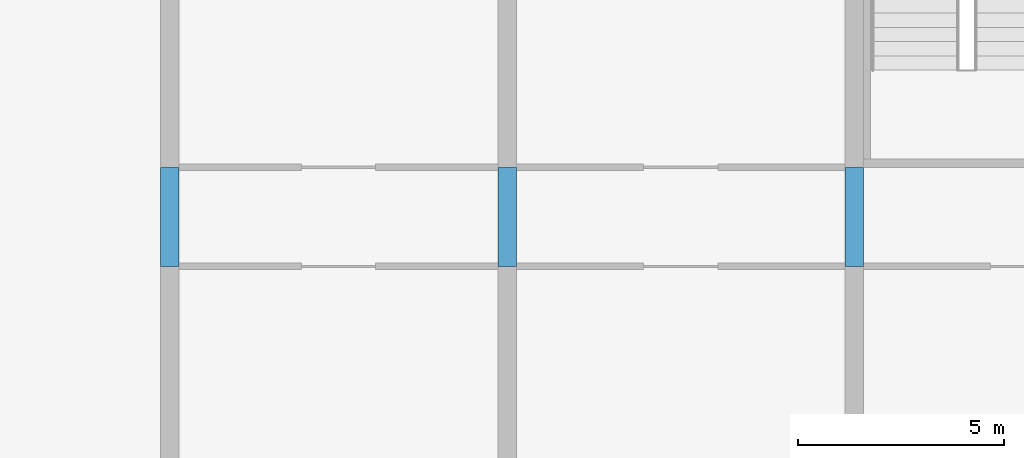
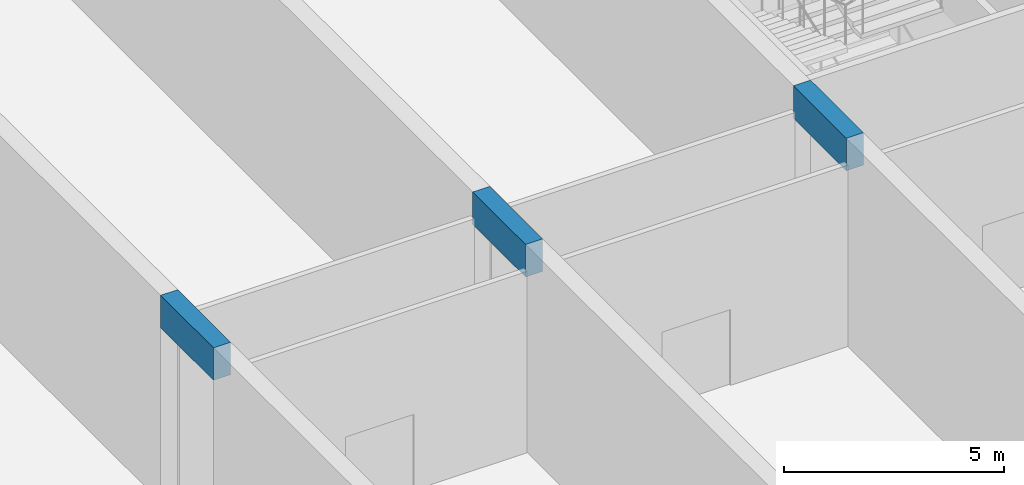
# One storey, part 3 of 20: 3 beams.
"""IFC4 building model written with IfcOpenShell, lengths in metres."""

from ifc_helpers import new_model, si_unit, direction, frame, origin, origin_2d, place, context, subcontext, project, spatial, rectangle, extrude, source, transform, mapped, material, material_profile, profile_set, type_object, element, save


model = new_model("IFC4")

# Units and contexts
model_context = context("Model", 3, precision=1e-05, world=origin(), true_north=direction((0.0, 1.0)))
body_context = subcontext(model_context, "Body", "Model", "MODEL_VIEW")
ifc_project = project(units=[si_unit("LENGTHUNIT", "METRE"), si_unit("AREAUNIT", "SQUARE_METRE"), si_unit("VOLUMEUNIT", "CUBIC_METRE"), si_unit("PLANEANGLEUNIT", "RADIAN"), si_unit("MASSUNIT", "GRAM", prefix="KILO")], contexts=[model_context])

# Site, building, storey
site_placement = place(None, origin())
site = spatial("IfcSite", under=ifc_project, at=site_placement, CompositionType="ELEMENT")
building_placement = place(site_placement, origin())
building = spatial("IfcBuilding", under=site, at=building_placement, Name="Vanashikhar Sky Hotel", CompositionType="ELEMENT")
storey_placement = place(building_placement, origin())
storey = spatial("IfcBuildingStorey", under=building, at=storey_placement, Name="L00", CompositionType="ELEMENT", Elevation=0.0)

# Beams
ifc_material = material(Name="Concrete M50", Category="concrete")
ifc_material_profile = material_profile(ifc_material, rectangle(XDim=0.449951171875, YDim=0.89990234375, at=origin_2d()))
ifc_profile_set = profile_set([ifc_material_profile], Name="RC 450x900 beam Concrete M50")
beam_type = type_object("IfcBeamType", Name="RC 450x900 beam Concrete M50", PredefinedType="LINTEL", material=ifc_profile_set)
shared_shape = source(origin(), body_context, "Body", "SweptSolid", [
    extrude(rectangle(XDim=0.449951171875, YDim=0.89990234375, at=origin_2d()), origin(), (0.0, 0.0, 1.0), 2.39990234375),
])
for number, where, z_axis, x_axis, name in (
    (1, (0.22509765625, 19.60009765625, 5.27001953125), (0.0, 1.0, 0.0), (-1.0, 0.0, 0.0), "LB-L00-XW01"),
    (2, (8.39990234375, 19.60009765625, 5.27001953125), (0.0, 1.0, 0.0), (-1.0, 0.0, 0.0), "LB-L00-XW02"),
    (3, (16.800048828125, 19.60009765625, 5.27001953125), (0.0, 1.0, 0.0), (-1.0, 0.0, 0.0), "LB-L00-XW03"),
):
    element("IfcBeam", number, at=place(storey_placement, frame(where, z_axis=z_axis, x_axis=x_axis)), inside=storey, type_object=beam_type, Name=name, PredefinedType="LINTEL", context=body_context, shape_type="MappedRepresentation", body=[
        mapped(shared_shape, transform((0.0, 0.0, 0.0), scale=1.0)),
    ])

save(model, "model.ifc")
